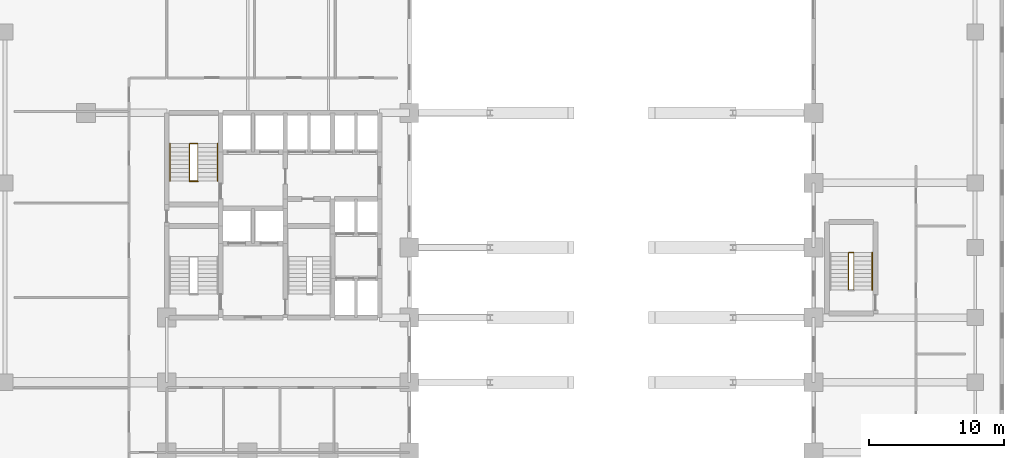
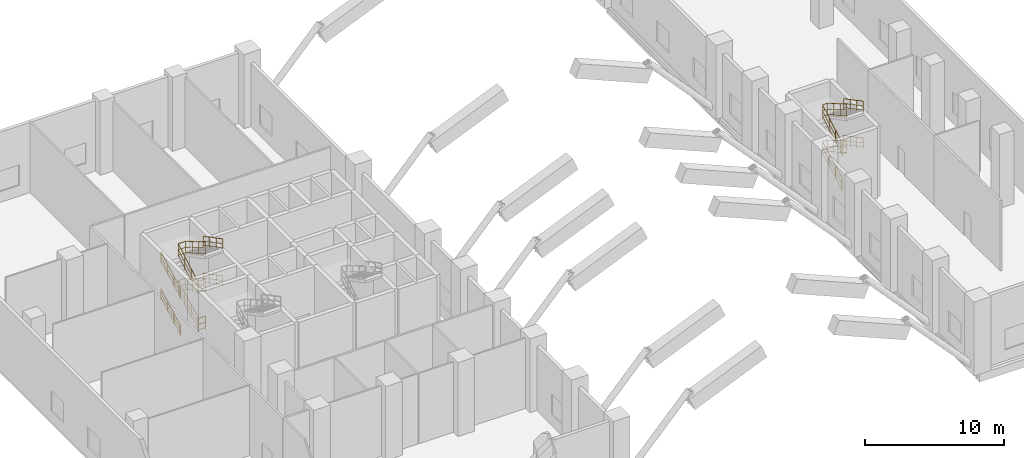
# One storey, part 10 of 10: 9 railings.
"""IFC4 building model written with IfcOpenShell, lengths in metres."""

import ifcopenshell
import ifcopenshell.guid

model = None  # the IFC model being written
_history = None  # IfcOwnerHistory: only IFC2X3 demands one
_inside = {}  # id of a spatial element -> (the spatial element, [elements in it])
_under = {}  # id of a project, library or spatial element -> (it, [spatial elements below it])
_declared = {}  # id of a project -> (the project, [libraries it declares])
_typed = {}  # id of a type object -> (the type object, [elements of that type])
_made_of = {}  # id of a material, layer set ... -> (it, [elements and type objects made of it])


def new_model(schema):
    """Start an empty IFC model of exactly this schema.

    Asked for "IFC4X3", IfcOpenShell would pick the latest addendum, in which some entities
    have other attributes; the version numbers below select the first issue.
    IFC2X3 requires an IfcOwnerHistory on every rooted entity: one is made here for all.
    """
    global model, _history
    if schema == "IFC4X3":
        model = ifcopenshell.file(schema_version=(4, 3, 0, 0))
    else:
        model = ifcopenshell.file(schema=schema)
    _inside.clear()
    _under.clear()
    _declared.clear()
    _typed.clear()
    _made_of.clear()
    _history = None
    if model.schema == "IFC2X3":
        org = make("IfcOrganization", Name="unknown")
        user = make(
            "IfcPersonAndOrganization",
            ThePerson=make("IfcPerson", FamilyName="unknown"),
            TheOrganization=org,
        )
        app = make(
            "IfcApplication",
            ApplicationDeveloper=org,
            Version="unknown",
            ApplicationFullName="unknown",
            ApplicationIdentifier="unknown",
        )
        _history = make(
            "IfcOwnerHistory",
            OwningUser=user,
            OwningApplication=app,
            ChangeAction="ADDED",
            CreationDate=0,
        )
    return model


def make(cls, **values):
    """One entity of the class cls with the attributes given. An attribute that is None is left unset."""
    return model.create_entity(
        cls, **{name: value for name, value in values.items() if value is not None}
    )


def rooted(cls, **values):
    """An entity with a GlobalId (a new one), such as an element, a storey or a relation."""
    return make(cls, GlobalId=ifcopenshell.guid.new(), OwnerHistory=_history, **values)


def si_unit(unit_type, name, prefix=None):
    """IfcSIUnit, for example si_unit("LENGTHUNIT", "METRE", prefix="MILLI")."""
    return make("IfcSIUnit", UnitType=unit_type, Prefix=prefix, Name=name)


def assignment(units):
    """IfcUnitAssignment: the units of a project."""
    return None if units is None else make("IfcUnitAssignment", Units=units)


def point(xyz):
    """IfcCartesianPoint."""
    return None if xyz is None else make("IfcCartesianPoint", Coordinates=xyz)


def direction(xyz):
    """IfcDirection."""
    return None if xyz is None else make("IfcDirection", DirectionRatios=xyz)


def frame(location, z_axis=None, x_axis=None):
    """IfcAxis2Placement3D, a coordinate frame: its origin and axes. An axis left out is left unset."""
    return make(
        "IfcAxis2Placement3D",
        Location=point(location),
        Axis=direction(z_axis),
        RefDirection=direction(x_axis),
    )


def frame_2d(location, x_axis=None):
    """IfcAxis2Placement2D, a coordinate frame in the plane: its origin and x axis."""
    return make(
        "IfcAxis2Placement2D", Location=point(location), RefDirection=direction(x_axis)
    )


def origin():
    """The frame at (0, 0, 0) with its axes left unset."""
    return frame((0.0, 0.0, 0.0))


def origin_2d():
    """The frame at (0, 0) in the plane with its x axis left unset."""
    return frame_2d((0.0, 0.0))


def place(relative_to, where):
    """IfcLocalPlacement: puts the frame where relative to a parent placement (None: the world)."""
    return make(
        "IfcLocalPlacement", PlacementRelTo=relative_to, RelativePlacement=where
    )


def context(
    kind, dimensions, precision=None, world=None, true_north=None, identifier=None
):
    """IfcGeometricRepresentationContext, for example the 3D "Model" context."""
    return make(
        "IfcGeometricRepresentationContext",
        ContextIdentifier=identifier,
        ContextType=kind,
        CoordinateSpaceDimension=dimensions,
        Precision=precision,
        WorldCoordinateSystem=world,
        TrueNorth=true_north,
    )


def subcontext(parent, identifier, kind, view, scale=None):
    """IfcGeometricRepresentationSubContext, for example "Body" below "Model"."""
    return make(
        "IfcGeometricRepresentationSubContext",
        ContextIdentifier=identifier,
        ContextType=kind,
        ParentContext=parent,
        TargetScale=scale,
        TargetView=view,
    )


def project(units=None, contexts=None):
    """IfcProject with its units and contexts."""
    return rooted(
        "IfcProject",
        Name="project",
        RepresentationContexts=contexts,
        UnitsInContext=assignment(units),
    )


def spatial(cls, under=None, at=None, **own):
    """A site, building, storey or space (cls), placed at a placement, below another one or the project."""
    s = rooted(cls, ObjectPlacement=at, **own)
    if under is not None:
        _under.setdefault(under.id(), (under, []))[1].append(s)
    return s


def profile(cls, at=None, kind="AREA", **sizes):
    """A parametric profile (cls). Its sizes go by their IFC names, for example OverallWidth=200.0."""
    return make(cls, ProfileType=kind, Position=at, **sizes)


def circle(**sizes):
    """IfcCircleProfileDef."""
    return profile("IfcCircleProfileDef", **sizes)


def extrude(swept, where, along, depth):
    """IfcExtrudedAreaSolid: the profile swept, set in the frame where, extruded along a direction by depth."""
    return make(
        "IfcExtrudedAreaSolid",
        SweptArea=swept,
        Position=where,
        ExtrudedDirection=direction(along),
        Depth=depth,
    )


def shape(context_of_items, identifier, shape_type, items):
    """IfcShapeRepresentation: the items that make up one representation, for example the "Body"."""
    return make(
        "IfcShapeRepresentation",
        ContextOfItems=context_of_items,
        RepresentationIdentifier=identifier,
        RepresentationType=shape_type,
        Items=items,
    )


def material(Name=None, Category=None):
    """IfcMaterial."""
    return make("IfcMaterial", Name=Name, Category=Category)


def layer(
    of_material, thickness, ventilated=None, Name=None, Category=None, Priority=None
):
    """IfcMaterialLayer: one layer of a wall or slab, of a material (None: an air gap)."""
    return make(
        "IfcMaterialLayer",
        Material=of_material,
        LayerThickness=thickness,
        IsVentilated=ventilated,
        Name=Name,
        Category=Category,
        Priority=Priority,
    )


def layer_set(layers, Name=None):
    """IfcMaterialLayerSet."""
    return make("IfcMaterialLayerSet", MaterialLayers=layers, LayerSetName=Name)


def made_of(thing, what):
    """Note that an element or type object is made of a material, layer set ...; save() writes the relation."""
    if what is not None:
        _made_of.setdefault(what.id(), (what, []))[1].append(thing)
    return thing


def type_object(cls, material=None, **own):
    """A type object (cls), such as IfcWallType, which elements share."""
    return made_of(rooted(cls, **own), material)


def element(
    cls,
    number,
    at=None,
    inside=None,
    cuts=None,
    type_object=None,
    material=None,
    context=None,
    identifier="Body",
    shape_type=None,
    held_by="IfcProductDefinitionShape",
    body=None,
    shapes=None,
    **own,
):
    """One element of the class cls, such as IfcWall. Its Tag is "e" and its number.

    at: its placement. inside: the storey or other place that contains it. cuts: it is an
    opening in that element (IfcRelVoidsElement). A single representation is given by context,
    identifier, shape_type and body (its items); several are given by shapes. held_by: the class
    of the entity that holds the representations. save() writes the other relations.
    """
    e = rooted(cls, Tag="e%d" % number, ObjectPlacement=at, **own)
    if body is not None:
        shapes = [shape(context, identifier, shape_type, body)]
    if shapes is not None:
        e.Representation = make(held_by, Representations=shapes)
    if inside is not None:
        _inside.setdefault(inside.id(), (inside, []))[1].append(e)
    if cuts is not None:
        rooted(
            "IfcRelVoidsElement", RelatingBuildingElement=cuts, RelatedOpeningElement=e
        )
    if type_object is not None:
        _typed.setdefault(type_object.id(), (type_object, []))[1].append(e)
    return made_of(e, material)


def aggregate(whole, parts):
    """IfcRelAggregates: a whole, such as a stair, and the parts it consists of."""
    return rooted("IfcRelAggregates", RelatingObject=whole, RelatedObjects=parts)


def save(model, path):
    """Write the relations noted so far, then the file.

    IfcRelAggregates (storeys below a building ...), IfcRelContainedInSpatialStructure (elements
    in a storey), IfcRelDefinesByType, IfcRelAssociatesMaterial and IfcRelDeclares: one each for
    every whole, place, type object, material and project.
    """
    for whole, parts in _under.values():
        aggregate(whole, parts)
    for where, things in _inside.values():
        rooted(
            "IfcRelContainedInSpatialStructure",
            RelatedElements=things,
            RelatingStructure=where,
        )
    for kind, things in _typed.values():
        rooted("IfcRelDefinesByType", RelatedObjects=things, RelatingType=kind)
    for what, things in _made_of.values():
        rooted("IfcRelAssociatesMaterial", RelatedObjects=things, RelatingMaterial=what)
    for by, libraries in _declared.values():
        rooted("IfcRelDeclares", RelatingContext=by, RelatedDefinitions=libraries)
    model.write(path)


model = new_model("IFC4")

# Units and contexts
model_context = context("Model", 3, precision=1e-05, world=origin(), true_north=direction((0.0, 1.0)))
body_context = subcontext(model_context, "Body", "Model", "MODEL_VIEW")
ifc_project = project(units=[si_unit("LENGTHUNIT", "METRE"), si_unit("AREAUNIT", "SQUARE_METRE"), si_unit("VOLUMEUNIT", "CUBIC_METRE"), si_unit("PLANEANGLEUNIT", "RADIAN"), si_unit("MASSUNIT", "GRAM", prefix="KILO")], contexts=[model_context])

# Site, building, storey
site_placement = place(None, origin())
site = spatial("IfcSite", under=ifc_project, at=site_placement, CompositionType="ELEMENT")
building_placement = place(site_placement, origin())
building = spatial("IfcBuilding", under=site, at=building_placement, Name="Keshet Zoharim Tower", CompositionType="ELEMENT")
storey_placement = place(building_placement, frame((0.0, 0.0, 6.5)))
storey = spatial("IfcBuildingStorey", under=building, at=storey_placement, Name="L01", CompositionType="ELEMENT", Elevation=6.5)

# Railings
ifc_material = material(Name="Steel S355", Category="steel")
ifc_layer_1 = layer(ifc_material, 0.050048828125)
ifc_layer_set_1 = layer_set([ifc_layer_1], Name="Steel S355")
railing_type_1 = type_object("IfcRailingType", Name="RL-HND-092", PredefinedType="HANDRAIL", material=ifc_layer_set_1)
railing_1_placement = place(storey_placement, frame((15.239990234375, 32.840087890625, 0.16259765625)))
element("IfcRailing", 1, at=railing_1_placement, inside=storey, type_object=railing_type_1, Name="L01 ST-02 Flight 1 Wall Handrail", PredefinedType="HANDRAIL", context=body_context, shape_type="SweptSolid", body=[
    extrude(circle(Radius=0.02392578125, at=origin_2d()), frame((0.0, 0.0, 0.89599609375), z_axis=(0.0, 0.88569040667, 0.46427632239), x_axis=(-1.0, 0.0, 0.0)), (0.0, 0.0, 1.0), 3.14990234375),
    extrude(circle(Radius=0.01611328125, at=origin_2d()), frame((0.0, 0.0, 0.478271484375), z_axis=(0.0, 0.88569040667, 0.46427632239), x_axis=(-1.0, 0.0, 0.0)), (0.0, 0.0, 1.0), 3.14990234375),
    extrude(circle(Radius=0.01611328125, at=origin_2d()), frame((0.0, 0.0, 0.1201171875), z_axis=(0.0, 0.88569040667, 0.46427632239), x_axis=(-1.0, 0.0, 0.0)), (0.0, 0.0, 1.0), 3.14990234375),
    extrude(circle(Radius=0.02099609375, at=origin_2d()), origin(), (0.0, 0.0, 1.0), 0.871826171875),
    extrude(circle(Radius=0.02099609375, at=origin_2d()), frame((0.0, 0.929931640625, 0.487548828125)), (0.0, 0.0, 1.0), 0.871826171875),
    extrude(circle(Radius=0.02099609375, at=origin_2d()), frame((0.0, 1.85986328125, 0.974853515625)), (0.0, 0.0, 1.0), 0.871826171875),
    extrude(circle(Radius=0.02099609375, at=origin_2d()), frame((0.0, 2.789794921875, 1.46240234375)), (0.0, 0.0, 1.0), 0.871826171875),
])
railing_2_placement = place(storey_placement, frame((18.760009765625, 35.6298828125, 1.78759765625)))
element("IfcRailing", 2, at=railing_2_placement, inside=storey, type_object=railing_type_1, Name="L01 ST-02 Flight 2 Wall Handrail", PredefinedType="HANDRAIL", context=body_context, shape_type="SweptSolid", body=[
    extrude(circle(Radius=0.02392578125, at=origin_2d()), frame((0.0, 0.0, 0.89599609375), z_axis=(0.0, -0.88569040667, 0.46427632239), x_axis=(1.0, 0.0, 0.0)), (0.0, 0.0, 1.0), 3.14990234375),
    extrude(circle(Radius=0.01611328125, at=origin_2d()), frame((0.0, 0.0, 0.478271484375), z_axis=(0.0, -0.88569040667, 0.46427632239), x_axis=(1.0, 0.0, 0.0)), (0.0, 0.0, 1.0), 3.14990234375),
    extrude(circle(Radius=0.01611328125, at=origin_2d()), frame((0.0, 0.0, 0.1201171875), z_axis=(0.0, -0.88569040667, 0.46427632239), x_axis=(1.0, 0.0, 0.0)), (0.0, 0.0, 1.0), 3.14990234375),
    extrude(circle(Radius=0.02099609375, at=origin_2d()), origin(), (0.0, 0.0, 1.0), 0.871826171875),
    extrude(circle(Radius=0.02099609375, at=origin_2d()), frame((0.0, -0.929931640625, 0.487548828125)), (0.0, 0.0, 1.0), 0.871826171875),
    extrude(circle(Radius=0.02099609375, at=origin_2d()), frame((0.0, -1.85986328125, 0.974853515625)), (0.0, 0.0, 1.0), 0.871826171875),
    extrude(circle(Radius=0.02099609375, at=origin_2d()), frame((0.0, -2.789794921875, 1.46240234375)), (0.0, 0.0, 1.0), 0.871826171875),
])
railing_3_placement = place(storey_placement, frame((15.239990234375, 32.840087890625, 3.41259765625)))
element("IfcRailing", 3, at=railing_3_placement, inside=storey, type_object=railing_type_1, Name="L01 ST-02 Flight 3 Wall Handrail", PredefinedType="HANDRAIL", context=body_context, shape_type="SweptSolid", body=[
    extrude(circle(Radius=0.02392578125, at=origin_2d()), frame((0.0, 0.0, 0.89599609375), z_axis=(0.0, 0.88569040667, 0.46427632239), x_axis=(-1.0, 0.0, 0.0)), (0.0, 0.0, 1.0), 3.14990234375),
    extrude(circle(Radius=0.01611328125, at=origin_2d()), frame((0.0, 0.0, 0.478271484375), z_axis=(0.0, 0.88569040667, 0.46427632239), x_axis=(-1.0, 0.0, 0.0)), (0.0, 0.0, 1.0), 3.14990234375),
    extrude(circle(Radius=0.01611328125, at=origin_2d()), frame((0.0, 0.0, 0.1201171875), z_axis=(0.0, 0.88569040667, 0.46427632239), x_axis=(-1.0, 0.0, 0.0)), (0.0, 0.0, 1.0), 3.14990234375),
    extrude(circle(Radius=0.02099609375, at=origin_2d()), origin(), (0.0, 0.0, 1.0), 0.871826171875),
    extrude(circle(Radius=0.02099609375, at=origin_2d()), frame((0.0, 0.929931640625, 0.487548828125)), (0.0, 0.0, 1.0), 0.871826171875),
    extrude(circle(Radius=0.02099609375, at=origin_2d()), frame((0.0, 1.85986328125, 0.974853515625)), (0.0, 0.0, 1.0), 0.871826171875),
    extrude(circle(Radius=0.02099609375, at=origin_2d()), frame((0.0, 2.789794921875, 1.46240234375)), (0.0, 0.0, 1.0), 0.871826171875),
])
railing_4_placement = place(storey_placement, frame((18.760009765625, 35.6298828125, 5.03759765625)))
element("IfcRailing", 4, at=railing_4_placement, inside=storey, type_object=railing_type_1, Name="L01 ST-02 Flight 4 Wall Handrail", PredefinedType="HANDRAIL", context=body_context, shape_type="SweptSolid", body=[
    extrude(circle(Radius=0.02392578125, at=origin_2d()), frame((0.0, 0.0, 0.89599609375), z_axis=(0.0, -0.88569040667, 0.46427632239), x_axis=(1.0, 0.0, 0.0)), (0.0, 0.0, 1.0), 3.14990234375),
    extrude(circle(Radius=0.01611328125, at=origin_2d()), frame((0.0, 0.0, 0.478271484375), z_axis=(0.0, -0.88569040667, 0.46427632239), x_axis=(1.0, 0.0, 0.0)), (0.0, 0.0, 1.0), 3.14990234375),
    extrude(circle(Radius=0.01611328125, at=origin_2d()), frame((0.0, 0.0, 0.1201171875), z_axis=(0.0, -0.88569040667, 0.46427632239), x_axis=(1.0, 0.0, 0.0)), (0.0, 0.0, 1.0), 3.14990234375),
    extrude(circle(Radius=0.02099609375, at=origin_2d()), origin(), (0.0, 0.0, 1.0), 0.871826171875),
    extrude(circle(Radius=0.02099609375, at=origin_2d()), frame((0.0, -0.929931640625, 0.487548828125)), (0.0, 0.0, 1.0), 0.871826171875),
    extrude(circle(Radius=0.02099609375, at=origin_2d()), frame((0.0, -1.85986328125, 0.974853515625)), (0.0, 0.0, 1.0), 0.871826171875),
    extrude(circle(Radius=0.02099609375, at=origin_2d()), frame((0.0, -2.789794921875, 1.46240234375)), (0.0, 0.0, 1.0), 0.871826171875),
])
for number, where, name in (
    (5, (67.360107421875, 27.530029296875, 1.78759765625), "L01 ST-04 Flight 2 Wall Handrail"),
    (6, (67.360107421875, 27.530029296875, 5.03759765625), "L01 ST-04 Flight 4 Wall Handrail"),
):
    element("IfcRailing", number, at=place(storey_placement, frame(where)), inside=storey, type_object=railing_type_1, Name=name, PredefinedType="HANDRAIL", context=body_context, shape_type="SweptSolid", body=[
        extrude(circle(Radius=0.02392578125, at=origin_2d()), frame((0.0, 0.0, 0.89599609375), z_axis=(0.0, -0.885707112116, 0.46424445236), x_axis=(1.0, 0.0, 0.0)), (0.0, 0.0, 1.0), 3.150146484375),
        extrude(circle(Radius=0.01611328125, at=origin_2d()), frame((0.0, 0.0, 0.478271484375), z_axis=(0.0, -0.885707112116, 0.46424445236), x_axis=(1.0, 0.0, 0.0)), (0.0, 0.0, 1.0), 3.150146484375),
        extrude(circle(Radius=0.01611328125, at=origin_2d()), frame((0.0, 0.0, 0.1201171875), z_axis=(0.0, -0.885707112116, 0.46424445236), x_axis=(1.0, 0.0, 0.0)), (0.0, 0.0, 1.0), 3.150146484375),
        extrude(circle(Radius=0.02099609375, at=origin_2d()), origin(), (0.0, 0.0, 1.0), 0.871826171875),
        extrude(circle(Radius=0.02099609375, at=origin_2d()), frame((0.0, -0.929931640625, 0.487548828125)), (0.0, 0.0, 1.0), 0.871826171875),
        extrude(circle(Radius=0.02099609375, at=origin_2d()), frame((0.0, -1.860107421875, 0.974853515625)), (0.0, 0.0, 1.0), 0.871826171875),
        extrude(circle(Radius=0.02099609375, at=origin_2d()), frame((0.0, -2.7900390625, 1.46240234375)), (0.0, 0.0, 1.0), 0.871826171875),
    ])
ifc_layer_2 = layer(ifc_material, 0.06005859375)
ifc_layer_set_2 = layer_set([ifc_layer_2], Name="Steel S355")
railing_type_2 = type_object("IfcRailingType", Name="RL-STG-115", PredefinedType="GUARDRAIL", material=ifc_layer_set_2)
railing_5_placement = place(storey_placement, frame((16.68994140625, 32.840087890625, 0.16259765625)))
element("IfcRailing", 7, at=railing_5_placement, inside=storey, type_object=railing_type_2, Name="L01 ST-02 Inner Well Guardrail", PredefinedType="GUARDRAIL", context=body_context, shape_type="SweptSolid", body=[
    extrude(circle(Radius=0.02392578125, at=origin_2d()), frame((0.0, 0.0, 1.1259765625), z_axis=(0.0, 0.88569040667, 0.46427632239), x_axis=(-1.0, 0.0, 0.0)), (0.0, 0.0, 1.0), 3.14990234375),
    extrude(circle(Radius=0.01611328125, at=origin_2d()), frame((0.0, 0.0, 0.597900390625), z_axis=(0.0, 0.88569040667, 0.46427632239), x_axis=(-1.0, 0.0, 0.0)), (0.0, 0.0, 1.0), 3.14990234375),
    extrude(circle(Radius=0.01611328125, at=origin_2d()), frame((0.0, 0.0, 0.1201171875), z_axis=(0.0, 0.88569040667, 0.46427632239), x_axis=(-1.0, 0.0, 0.0)), (0.0, 0.0, 1.0), 3.14990234375),
    extrude(circle(Radius=0.02392578125, at=origin_2d()), frame((0.0, 2.789794921875, 2.58837890625), z_axis=(1.0, 0.0, 0.0), x_axis=(0.0, 1.0, 0.0)), (0.0, 0.0, 1.0), 0.6201171875),
    extrude(circle(Radius=0.01611328125, at=origin_2d()), frame((0.0, 2.789794921875, 2.060302734375), z_axis=(1.0, 0.0, 0.0), x_axis=(0.0, 1.0, 0.0)), (0.0, 0.0, 1.0), 0.6201171875),
    extrude(circle(Radius=0.01611328125, at=origin_2d()), frame((0.0, 2.789794921875, 1.58251953125), z_axis=(1.0, 0.0, 0.0), x_axis=(0.0, 1.0, 0.0)), (0.0, 0.0, 1.0), 0.6201171875),
    extrude(circle(Radius=0.02392578125, at=origin_2d()), frame((0.6201171875, 2.789794921875, 2.58837890625), z_axis=(0.0, -0.864099617206, 0.503320823674), x_axis=(1.0, 0.0, 0.0)), (0.0, 0.0, 1.0), 3.228515625),
    extrude(circle(Radius=0.01611328125, at=origin_2d()), frame((0.6201171875, 2.789794921875, 2.060302734375), z_axis=(0.0, -0.864099617206, 0.503320823674), x_axis=(1.0, 0.0, 0.0)), (0.0, 0.0, 1.0), 3.228515625),
    extrude(circle(Radius=0.01611328125, at=origin_2d()), frame((0.6201171875, 2.789794921875, 1.58251953125), z_axis=(0.0, -0.864099617206, 0.503320823674), x_axis=(1.0, 0.0, 0.0)), (0.0, 0.0, 1.0), 3.228515625),
    extrude(circle(Radius=0.02392578125, at=origin_2d()), frame((0.6201171875, 0.0, 4.21337890625), z_axis=(-1.0, 0.0, 0.0), x_axis=(0.0, -1.0, 0.0)), (0.0, 0.0, 1.0), 0.6201171875),
    extrude(circle(Radius=0.01611328125, at=origin_2d()), frame((0.6201171875, 0.0, 3.685302734375), z_axis=(-1.0, 0.0, 0.0), x_axis=(0.0, -1.0, 0.0)), (0.0, 0.0, 1.0), 0.6201171875),
    extrude(circle(Radius=0.01611328125, at=origin_2d()), frame((0.6201171875, 0.0, 3.20751953125), z_axis=(-1.0, 0.0, 0.0), x_axis=(0.0, -1.0, 0.0)), (0.0, 0.0, 1.0), 0.6201171875),
    extrude(circle(Radius=0.02392578125, at=origin_2d()), frame((0.0, 0.0, 4.21337890625), z_axis=(0.0, 0.864099617206, 0.503320823674), x_axis=(-1.0, 0.0, 0.0)), (0.0, 0.0, 1.0), 3.228515625),
    extrude(circle(Radius=0.01611328125, at=origin_2d()), frame((0.0, 0.0, 3.685302734375), z_axis=(0.0, 0.864099617206, 0.503320823674), x_axis=(-1.0, 0.0, 0.0)), (0.0, 0.0, 1.0), 3.228515625),
    extrude(circle(Radius=0.01611328125, at=origin_2d()), frame((0.0, 0.0, 3.20751953125), z_axis=(0.0, 0.864099617206, 0.503320823674), x_axis=(-1.0, 0.0, 0.0)), (0.0, 0.0, 1.0), 3.228515625),
    extrude(circle(Radius=0.02392578125, at=origin_2d()), frame((0.0, 2.789794921875, 5.83837890625), z_axis=(1.0, 0.0, 0.0), x_axis=(0.0, 1.0, 0.0)), (0.0, 0.0, 1.0), 0.6201171875),
    extrude(circle(Radius=0.01611328125, at=origin_2d()), frame((0.0, 2.789794921875, 5.310302734375), z_axis=(1.0, 0.0, 0.0), x_axis=(0.0, 1.0, 0.0)), (0.0, 0.0, 1.0), 0.6201171875),
    extrude(circle(Radius=0.01611328125, at=origin_2d()), frame((0.0, 2.789794921875, 4.83251953125), z_axis=(1.0, 0.0, 0.0), x_axis=(0.0, 1.0, 0.0)), (0.0, 0.0, 1.0), 0.6201171875),
    extrude(circle(Radius=0.02392578125, at=origin_2d()), frame((0.6201171875, 2.789794921875, 5.83837890625), z_axis=(0.0, -0.864099617206, 0.503320823674), x_axis=(1.0, 0.0, 0.0)), (0.0, 0.0, 1.0), 3.228515625),
    extrude(circle(Radius=0.01611328125, at=origin_2d()), frame((0.6201171875, 2.789794921875, 5.310302734375), z_axis=(0.0, -0.864099617206, 0.503320823674), x_axis=(1.0, 0.0, 0.0)), (0.0, 0.0, 1.0), 3.228515625),
    extrude(circle(Radius=0.01611328125, at=origin_2d()), frame((0.6201171875, 2.789794921875, 4.83251953125), z_axis=(0.0, -0.864099617206, 0.503320823674), x_axis=(1.0, 0.0, 0.0)), (0.0, 0.0, 1.0), 3.228515625),
    extrude(circle(Radius=0.02099609375, at=origin_2d()), origin(), (0.0, 0.0, 1.0), 1.101806640625),
    extrude(circle(Radius=0.02099609375, at=origin_2d()), frame((0.0, 0.929931640625, 0.487548828125)), (0.0, 0.0, 1.0), 1.101806640625),
    extrude(circle(Radius=0.02099609375, at=origin_2d()), frame((0.0, 1.85986328125, 0.974853515625)), (0.0, 0.0, 1.0), 1.101806640625),
    extrude(circle(Radius=0.02099609375, at=origin_2d()), frame((0.0, 2.789794921875, 1.46240234375)), (0.0, 0.0, 1.0), 1.101806640625),
    extrude(circle(Radius=0.02099609375, at=origin_2d()), frame((0.6201171875, 2.789794921875, 1.46240234375)), (0.0, 0.0, 1.0), 1.101806640625),
    extrude(circle(Radius=0.02099609375, at=origin_2d()), frame((0.6201171875, 1.85986328125, 2.004150390625)), (0.0, 0.0, 1.0), 1.101806640625),
    extrude(circle(Radius=0.02099609375, at=origin_2d()), frame((0.6201171875, 0.929931640625, 2.545654296875)), (0.0, 0.0, 1.0), 1.101806640625),
    extrude(circle(Radius=0.02099609375, at=origin_2d()), frame((0.6201171875, 0.0, 3.08740234375)), (0.0, 0.0, 1.0), 1.101806640625),
    extrude(circle(Radius=0.02099609375, at=origin_2d()), frame((0.0, 0.0, 3.08740234375)), (0.0, 0.0, 1.0), 1.101806640625),
    extrude(circle(Radius=0.02099609375, at=origin_2d()), frame((0.0, 0.929931640625, 3.629150390625)), (0.0, 0.0, 1.0), 1.101806640625),
    extrude(circle(Radius=0.02099609375, at=origin_2d()), frame((0.0, 1.85986328125, 4.170654296875)), (0.0, 0.0, 1.0), 1.101806640625),
    extrude(circle(Radius=0.02099609375, at=origin_2d()), frame((0.0, 2.789794921875, 4.71240234375)), (0.0, 0.0, 1.0), 1.101806640625),
    extrude(circle(Radius=0.02099609375, at=origin_2d()), frame((0.6201171875, 2.789794921875, 4.71240234375)), (0.0, 0.0, 1.0), 1.101806640625),
    extrude(circle(Radius=0.02099609375, at=origin_2d()), frame((0.6201171875, 1.85986328125, 5.254150390625)), (0.0, 0.0, 1.0), 1.101806640625),
    extrude(circle(Radius=0.02099609375, at=origin_2d()), frame((0.6201171875, 0.929931640625, 5.795654296875)), (0.0, 0.0, 1.0), 1.101806640625),
    extrude(circle(Radius=0.02099609375, at=origin_2d()), frame((0.6201171875, 0.0, 6.33740234375)), (0.0, 0.0, 1.0), 1.101806640625),
])
railing_6_placement = place(storey_placement, frame((16.68994140625, 32.81005859375, 0.0)))
element("IfcRailing", 8, at=railing_6_placement, inside=storey, type_object=railing_type_2, Name="L01 ST-02 Stairwell Floor Guardrail", PredefinedType="GUARDRAIL", context=body_context, shape_type="SweptSolid", body=[
    extrude(circle(Radius=0.02392578125, at=origin_2d()), frame((0.0, 0.0, 1.1259765625), z_axis=(1.0, 0.0, 0.0), x_axis=(0.0, 1.0, 0.0)), (0.0, 0.0, 1.0), 0.6201171875),
    extrude(circle(Radius=0.01611328125, at=origin_2d()), frame((0.0, 0.0, 0.597900390625), z_axis=(1.0, 0.0, 0.0), x_axis=(0.0, 1.0, 0.0)), (0.0, 0.0, 1.0), 0.6201171875),
    extrude(circle(Radius=0.01611328125, at=origin_2d()), frame((0.0, 0.0, 0.1201171875), z_axis=(1.0, 0.0, 0.0), x_axis=(0.0, 1.0, 0.0)), (0.0, 0.0, 1.0), 0.6201171875),
    extrude(circle(Radius=0.02099609375, at=origin_2d()), origin(), (0.0, 0.0, 1.0), 1.101806640625),
    extrude(circle(Radius=0.02099609375, at=origin_2d()), frame((0.6201171875, 0.0, 0.0)), (0.0, 0.0, 1.0), 1.101806640625),
])
railing_7_placement = place(storey_placement, frame((65.60009765625, 24.739990234375, 0.16259765625)))
element("IfcRailing", 9, at=railing_7_placement, inside=storey, type_object=railing_type_2, Name="L01 ST-04 Inner Well Guardrail", PredefinedType="GUARDRAIL", context=body_context, shape_type="SweptSolid", body=[
    extrude(circle(Radius=0.02392578125, at=origin_2d()), frame((0.0, 0.0, 1.1259765625), z_axis=(0.0, 0.885707112116, 0.46424445236), x_axis=(-1.0, 0.0, 0.0)), (0.0, 0.0, 1.0), 3.150146484375),
    extrude(circle(Radius=0.01611328125, at=origin_2d()), frame((0.0, 0.0, 0.597900390625), z_axis=(0.0, 0.885707112116, 0.46424445236), x_axis=(-1.0, 0.0, 0.0)), (0.0, 0.0, 1.0), 3.150146484375),
    extrude(circle(Radius=0.01611328125, at=origin_2d()), frame((0.0, 0.0, 0.1201171875), z_axis=(0.0, 0.885707112116, 0.46424445236), x_axis=(-1.0, 0.0, 0.0)), (0.0, 0.0, 1.0), 3.150146484375),
    extrude(circle(Radius=0.02392578125, at=origin_2d()), frame((0.0, 2.7900390625, 2.58837890625), z_axis=(1.0, 0.0, 0.0), x_axis=(0.0, 1.0, 0.0)), (0.0, 0.0, 1.0), 0.39990234375),
    extrude(circle(Radius=0.01611328125, at=origin_2d()), frame((0.0, 2.7900390625, 2.060302734375), z_axis=(1.0, 0.0, 0.0), x_axis=(0.0, 1.0, 0.0)), (0.0, 0.0, 1.0), 0.39990234375),
    extrude(circle(Radius=0.01611328125, at=origin_2d()), frame((0.0, 2.7900390625, 1.58251953125), z_axis=(1.0, 0.0, 0.0), x_axis=(0.0, 1.0, 0.0)), (0.0, 0.0, 1.0), 0.39990234375),
    extrude(circle(Radius=0.02392578125, at=origin_2d()), frame((0.39990234375, 2.7900390625, 2.58837890625), z_axis=(0.0, -0.864118772059, 0.503287937244), x_axis=(1.0, 0.0, 0.0)), (0.0, 0.0, 1.0), 3.228759765625),
    extrude(circle(Radius=0.01611328125, at=origin_2d()), frame((0.39990234375, 2.7900390625, 2.060302734375), z_axis=(0.0, -0.864118772059, 0.503287937244), x_axis=(1.0, 0.0, 0.0)), (0.0, 0.0, 1.0), 3.228759765625),
    extrude(circle(Radius=0.01611328125, at=origin_2d()), frame((0.39990234375, 2.7900390625, 1.58251953125), z_axis=(0.0, -0.864118772059, 0.503287937244), x_axis=(1.0, 0.0, 0.0)), (0.0, 0.0, 1.0), 3.228759765625),
    extrude(circle(Radius=0.02392578125, at=origin_2d()), frame((0.39990234375, 0.0, 4.21337890625), z_axis=(-1.0, 0.0, 0.0), x_axis=(0.0, -1.0, 0.0)), (0.0, 0.0, 1.0), 0.39990234375),
    extrude(circle(Radius=0.01611328125, at=origin_2d()), frame((0.39990234375, 0.0, 3.685302734375), z_axis=(-1.0, 0.0, 0.0), x_axis=(0.0, -1.0, 0.0)), (0.0, 0.0, 1.0), 0.39990234375),
    extrude(circle(Radius=0.01611328125, at=origin_2d()), frame((0.39990234375, 0.0, 3.20751953125), z_axis=(-1.0, 0.0, 0.0), x_axis=(0.0, -1.0, 0.0)), (0.0, 0.0, 1.0), 0.39990234375),
    extrude(circle(Radius=0.02392578125, at=origin_2d()), frame((0.0, 0.0, 4.21337890625), z_axis=(0.0, 0.864118772059, 0.503287937244), x_axis=(-1.0, 0.0, 0.0)), (0.0, 0.0, 1.0), 3.228759765625),
    extrude(circle(Radius=0.01611328125, at=origin_2d()), frame((0.0, 0.0, 3.685302734375), z_axis=(0.0, 0.864118772059, 0.503287937244), x_axis=(-1.0, 0.0, 0.0)), (0.0, 0.0, 1.0), 3.228759765625),
    extrude(circle(Radius=0.01611328125, at=origin_2d()), frame((0.0, 0.0, 3.20751953125), z_axis=(0.0, 0.864118772059, 0.503287937244), x_axis=(-1.0, 0.0, 0.0)), (0.0, 0.0, 1.0), 3.228759765625),
    extrude(circle(Radius=0.02392578125, at=origin_2d()), frame((0.0, 2.7900390625, 5.83837890625), z_axis=(1.0, 0.0, 0.0), x_axis=(0.0, 1.0, 0.0)), (0.0, 0.0, 1.0), 0.39990234375),
    extrude(circle(Radius=0.01611328125, at=origin_2d()), frame((0.0, 2.7900390625, 5.310302734375), z_axis=(1.0, 0.0, 0.0), x_axis=(0.0, 1.0, 0.0)), (0.0, 0.0, 1.0), 0.39990234375),
    extrude(circle(Radius=0.01611328125, at=origin_2d()), frame((0.0, 2.7900390625, 4.83251953125), z_axis=(1.0, 0.0, 0.0), x_axis=(0.0, 1.0, 0.0)), (0.0, 0.0, 1.0), 0.39990234375),
    extrude(circle(Radius=0.02392578125, at=origin_2d()), frame((0.39990234375, 2.7900390625, 5.83837890625), z_axis=(0.0, -0.864118772059, 0.503287937244), x_axis=(1.0, 0.0, 0.0)), (0.0, 0.0, 1.0), 3.228759765625),
    extrude(circle(Radius=0.01611328125, at=origin_2d()), frame((0.39990234375, 2.7900390625, 5.310302734375), z_axis=(0.0, -0.864118772059, 0.503287937244), x_axis=(1.0, 0.0, 0.0)), (0.0, 0.0, 1.0), 3.228759765625),
    extrude(circle(Radius=0.01611328125, at=origin_2d()), frame((0.39990234375, 2.7900390625, 4.83251953125), z_axis=(0.0, -0.864118772059, 0.503287937244), x_axis=(1.0, 0.0, 0.0)), (0.0, 0.0, 1.0), 3.228759765625),
    extrude(circle(Radius=0.02099609375, at=origin_2d()), origin(), (0.0, 0.0, 1.0), 1.101806640625),
    extrude(circle(Radius=0.02099609375, at=origin_2d()), frame((0.0, 0.929931640625, 0.487548828125)), (0.0, 0.0, 1.0), 1.101806640625),
    extrude(circle(Radius=0.02099609375, at=origin_2d()), frame((0.0, 1.860107421875, 0.974853515625)), (0.0, 0.0, 1.0), 1.101806640625),
    extrude(circle(Radius=0.02099609375, at=origin_2d()), frame((0.0, 2.7900390625, 1.46240234375)), (0.0, 0.0, 1.0), 1.101806640625),
    extrude(circle(Radius=0.02099609375, at=origin_2d()), frame((0.39990234375, 2.7900390625, 1.46240234375)), (0.0, 0.0, 1.0), 1.101806640625),
    extrude(circle(Radius=0.02099609375, at=origin_2d()), frame((0.39990234375, 1.860107421875, 2.004150390625)), (0.0, 0.0, 1.0), 1.101806640625),
    extrude(circle(Radius=0.02099609375, at=origin_2d()), frame((0.39990234375, 0.929931640625, 2.545654296875)), (0.0, 0.0, 1.0), 1.101806640625),
    extrude(circle(Radius=0.02099609375, at=origin_2d()), frame((0.39990234375, 0.0, 3.08740234375)), (0.0, 0.0, 1.0), 1.101806640625),
    extrude(circle(Radius=0.02099609375, at=origin_2d()), frame((0.0, 0.0, 3.08740234375)), (0.0, 0.0, 1.0), 1.101806640625),
    extrude(circle(Radius=0.02099609375, at=origin_2d()), frame((0.0, 0.929931640625, 3.629150390625)), (0.0, 0.0, 1.0), 1.101806640625),
    extrude(circle(Radius=0.02099609375, at=origin_2d()), frame((0.0, 1.860107421875, 4.170654296875)), (0.0, 0.0, 1.0), 1.101806640625),
    extrude(circle(Radius=0.02099609375, at=origin_2d()), frame((0.0, 2.7900390625, 4.71240234375)), (0.0, 0.0, 1.0), 1.101806640625),
    extrude(circle(Radius=0.02099609375, at=origin_2d()), frame((0.39990234375, 2.7900390625, 4.71240234375)), (0.0, 0.0, 1.0), 1.101806640625),
    extrude(circle(Radius=0.02099609375, at=origin_2d()), frame((0.39990234375, 1.860107421875, 5.254150390625)), (0.0, 0.0, 1.0), 1.101806640625),
    extrude(circle(Radius=0.02099609375, at=origin_2d()), frame((0.39990234375, 0.929931640625, 5.795654296875)), (0.0, 0.0, 1.0), 1.101806640625),
    extrude(circle(Radius=0.02099609375, at=origin_2d()), frame((0.39990234375, 0.0, 6.33740234375)), (0.0, 0.0, 1.0), 1.101806640625),
])

save(model, "model.ifc")
